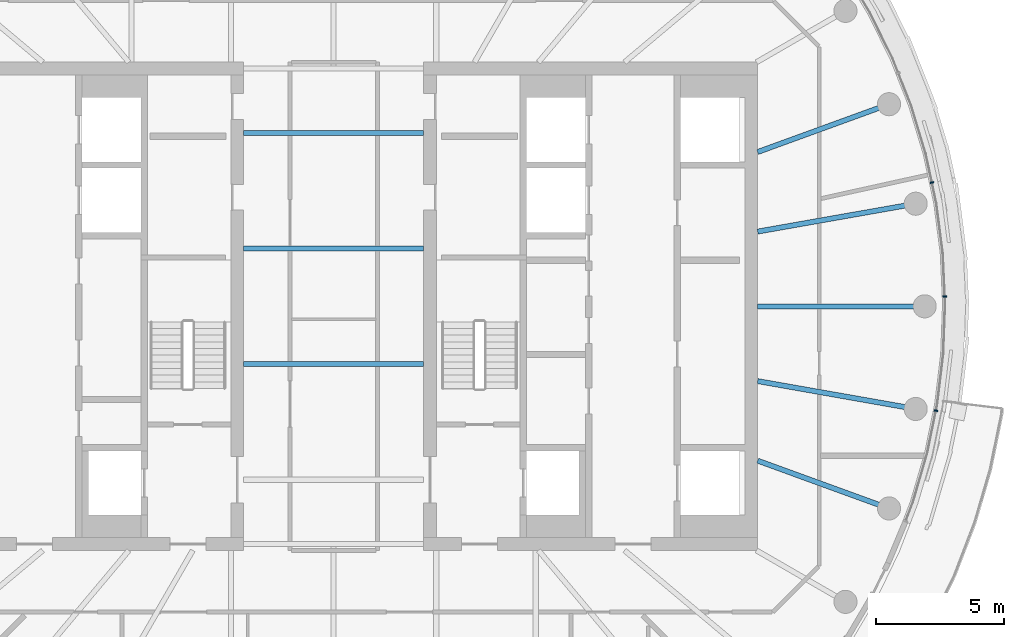
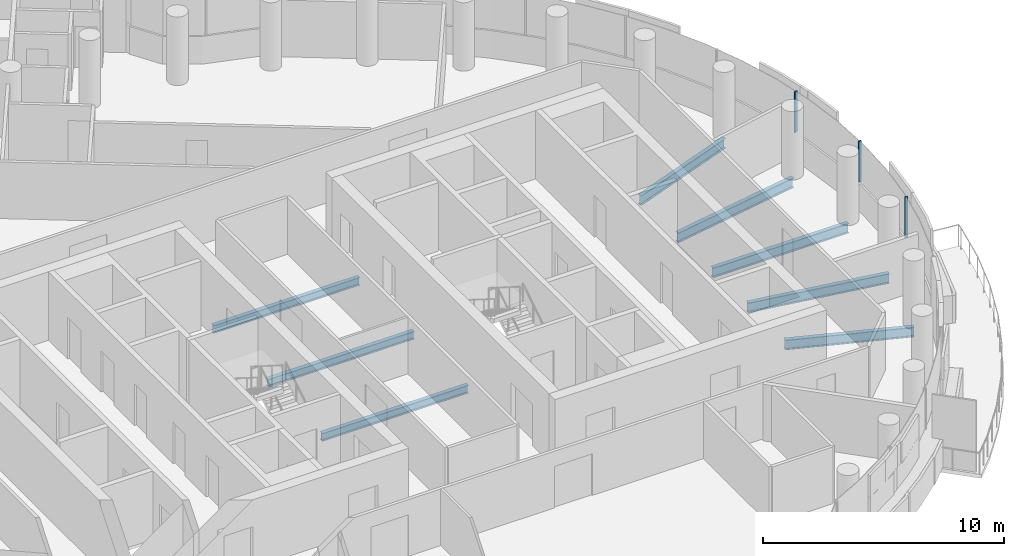
# One storey, part 8 of 27: 8 beams, 3 members, 1 element without a shape of its own.
"""IFC4 building model written with IfcOpenShell, lengths in metres."""

from ifc_helpers import new_model, si_unit, direction, frame, origin, origin_2d, place, context, subcontext, project, spatial, rectangle, i_section, extrude, material, layer, layer_set, material_profile, profile_set, type_object, element, aggregate, save


model = new_model("IFC4")

# Units and contexts
model_context = context("Model", 3, precision=1e-05, world=origin(), true_north=direction((0.0, 1.0)))
body_context = subcontext(model_context, "Body", "Model", "MODEL_VIEW")
ifc_project = project(units=[si_unit("LENGTHUNIT", "METRE"), si_unit("AREAUNIT", "SQUARE_METRE"), si_unit("VOLUMEUNIT", "CUBIC_METRE"), si_unit("PLANEANGLEUNIT", "RADIAN"), si_unit("MASSUNIT", "GRAM", prefix="KILO")], contexts=[model_context])

# Site, building, storey
site_placement = place(None, origin())
site = spatial("IfcSite", under=ifc_project, at=site_placement, CompositionType="ELEMENT")
building_placement = place(site_placement, origin())
building = spatial("IfcBuilding", under=site, at=building_placement, Name="Tamarind Cross Interchange Tower", CompositionType="ELEMENT")
storey_placement = place(building_placement, frame((0.0, 0.0, 241.5)))
storey = spatial("IfcBuildingStorey", under=building, at=storey_placement, Name="L61", CompositionType="ELEMENT", Elevation=241.5)

# Beams
ifc_material_1 = material(Name="Steel Q355B", Category="steel")
ifc_material_profile_1 = material_profile(ifc_material_1, i_section(OverallWidth=0.199951171875, OverallDepth=0.39990234375, WebThickness=0.008056640625, FlangeThickness=0.012939453125, FilletRadius=0.01611328125, at=origin_2d()), Name="HN 400x200x8x13")
ifc_profile_set_1 = profile_set([ifc_material_profile_1], Name="Steel Q355B")
beam_type_1 = type_object("IfcBeamType", Name="Composite beam HN 400x200x8x13 Q355B", PredefinedType="BEAM", material=ifc_profile_set_1)
for number, where, z_axis, x_axis, name in (
    (1, (-3.5, -2.25, -0.340087890625), (1.0, 0.0, 0.0), (0.0, 1.0, 0.0), "Beam G-2.25"),
    (2, (-3.5, 2.25, -0.340087890625), (1.0, 0.0, 0.0), (0.0, 1.0, 0.0), "Beam G2.25"),
    (3, (-3.5, 6.75, -0.340087890625), (1.0, 0.0, 0.0), (0.0, 1.0, 0.0), "Beam G6.75"),
):
    element("IfcBeam", number, at=place(storey_placement, frame(where, z_axis=z_axis, x_axis=x_axis)), inside=storey, type_object=beam_type_1, Name=name, PredefinedType="BEAM", context=body_context, shape_type="SweptSolid", body=[
        extrude(i_section(OverallWidth=0.199951171875, OverallDepth=0.39990234375, WebThickness=0.008056640625, FlangeThickness=0.012939453125, FilletRadius=0.01611328125, at=origin_2d()), origin(), (0.0, 0.0, 1.0), 7.0),
    ])
ifc_material_profile_2 = material_profile(ifc_material_1, i_section(OverallWidth=0.198974609375, OverallDepth=0.49609375, WebThickness=0.009033203125, FlangeThickness=0.013916015625, FilletRadius=0.012939453125, at=origin_2d()), Name="HN 496x199x9x14")
ifc_profile_set_2 = profile_set([ifc_material_profile_2], Name="Steel Q355B")
beam_type_2 = type_object("IfcBeamType", Name="Composite beam HN 496x199x9x14 Q355B", PredefinedType="BEAM", material=ifc_profile_set_2)
beam_1_placement = place(storey_placement, frame((23.0, 0.0, -0.387939453125), z_axis=(-1.0, 0.0, 0.0), x_axis=(0.0, -1.0, 0.0)))
element("IfcBeam", 4, at=beam_1_placement, inside=storey, type_object=beam_type_2, Name="Beam HH00", PredefinedType="BEAM", context=body_context, shape_type="SweptSolid", body=[
    extrude(i_section(OverallWidth=0.198974609375, OverallDepth=0.49609375, WebThickness=0.009033203125, FlangeThickness=0.013916015625, FilletRadius=0.012939453125, at=origin_2d()), origin(), (0.0, 0.0, 1.0), 6.5),
])
beam_2_placement = place(storey_placement, frame((22.650634765625, 3.993896484375, -0.387939453125), z_axis=(-0.984809127561, -0.173640382036, 0.0), x_axis=(0.173640382036, -0.984809127561, 0.0)))
element("IfcBeam", 5, at=beam_2_placement, inside=storey, type_object=beam_type_2, Name="Beam HH01", PredefinedType="BEAM", context=body_context, shape_type="SweptSolid", body=[
    extrude(i_section(OverallWidth=0.198974609375, OverallDepth=0.49609375, WebThickness=0.009033203125, FlangeThickness=0.013916015625, FilletRadius=0.012939453125, at=origin_2d()), origin(), (0.0, 0.0, 1.0), 6.24560546875),
])
for number, where, z_axis, x_axis, name in (
    (6, (21.613037109375, 7.866455078125, -0.387939453125), (-0.939701685589, -0.341995236956, 0.0), (0.341995236956, -0.939701685589, 0.0), "Beam HH02"),
    (7, (21.613037109375, -7.866455078125, -0.387939453125), (-0.939701685589, 0.341995236956, 0.0), (-0.341995236956, -0.939701685589, 0.0), "Beam HH34"),
):
    element("IfcBeam", number, at=place(storey_placement, frame(where, z_axis=z_axis, x_axis=x_axis)), inside=storey, type_object=beam_type_2, Name=name, PredefinedType="BEAM", context=body_context, shape_type="SweptSolid", body=[
        extrude(i_section(OverallWidth=0.198974609375, OverallDepth=0.49609375, WebThickness=0.009033203125, FlangeThickness=0.013916015625, FilletRadius=0.012939453125, at=origin_2d()), origin(), (0.0, 0.0, 1.0), 5.441162109375),
    ])
beam_3_placement = place(storey_placement, frame((22.650634765625, -3.993896484375, -0.387939453125), z_axis=(-0.984809127561, 0.173640382036, 0.0), x_axis=(-0.173640382036, -0.984809127561, 0.0)))
element("IfcBeam", 8, at=beam_3_placement, inside=storey, type_object=beam_type_2, Name="Beam HH35", PredefinedType="BEAM", context=body_context, shape_type="SweptSolid", body=[
    extrude(i_section(OverallWidth=0.198974609375, OverallDepth=0.49609375, WebThickness=0.009033203125, FlangeThickness=0.013916015625, FilletRadius=0.012939453125, at=origin_2d()), origin(), (0.0, 0.0, 1.0), 6.24560546875),
])

# Curtain wall, members
ifc_material_2 = material(Name="Aluminium 6063-T6", Category="aluminium")
ifc_layer = layer(ifc_material_2, 0.139892578125)
ifc_layer_set = layer_set([ifc_layer], Name="Aluminium 6063-T6")
curtain_wall_type = type_object("IfcCurtainWallType", Name="Hotel curtain wall, 4.5 m bays", PredefinedType="NOTDEFINED", material=ifc_layer_set)
curtain_wall_placement = place(storey_placement, origin())
curtain_wall = element("IfcCurtainWall", 9, at=curtain_wall_placement, inside=storey, type_object=curtain_wall_type, Name="CWS-L61-02", PredefinedType="NOTDEFINED")
ifc_material_profile_3 = material_profile(ifc_material_2, rectangle(XDim=0.06005859375, YDim=0.139892578125, at=origin_2d()), Name="Mullion CW2")
ifc_profile_set_3 = profile_set([ifc_material_profile_3], Name="Aluminium 6063-T6")
member_type = type_object("IfcMemberType", Name="Mullion CW2", PredefinedType="MULLION", material=ifc_profile_set_3)
member_1_placement = place(storey_placement, frame((23.43798828125, -4.05908203125, 1.39990234375), z_axis=(0.0, 0.0, 1.0), x_axis=(0.201001463943, 0.9795909409, 0.0)))
member_1 = element("IfcMember", 10, at=member_1_placement, type_object=member_type, Name="CWM-L61-02-13", PredefinedType="MULLION", context=body_context, shape_type="SweptSolid", body=[
    extrude(rectangle(XDim=0.06005859375, YDim=0.139892578125, at=origin_2d()), origin(), (0.0, 0.0, 1.0), 2.06005859375),
])
member_2_placement = place(storey_placement, frame((23.782470703125, 0.38671875, 1.39990234375), z_axis=(0.0, 0.0, 1.0), x_axis=(-0.045624486728, 0.998958660912, 0.0)))
member_2 = element("IfcMember", 11, at=member_2_placement, type_object=member_type, Name="CWM-L61-02-14", PredefinedType="MULLION", context=body_context, shape_type="SweptSolid", body=[
    extrude(rectangle(XDim=0.06005859375, YDim=0.139892578125, at=origin_2d()), origin(), (0.0, 0.0, 1.0), 2.06005859375),
])
member_3_placement = place(storey_placement, frame((23.28271484375, 4.817626953125, 1.39990234375), z_axis=(0.0, 0.0, 1.0), x_axis=(-0.209425419705, 0.977824623121, 0.0)))
member_3 = element("IfcMember", 12, at=member_3_placement, type_object=member_type, Name="CWM-L61-02-15", PredefinedType="MULLION", context=body_context, shape_type="SweptSolid", body=[
    extrude(rectangle(XDim=0.06005859375, YDim=0.139892578125, at=origin_2d()), origin(), (0.0, 0.0, 1.0), 2.06005859375),
])
aggregate(curtain_wall, [member_1, member_2, member_3])

save(model, "model.ifc")
